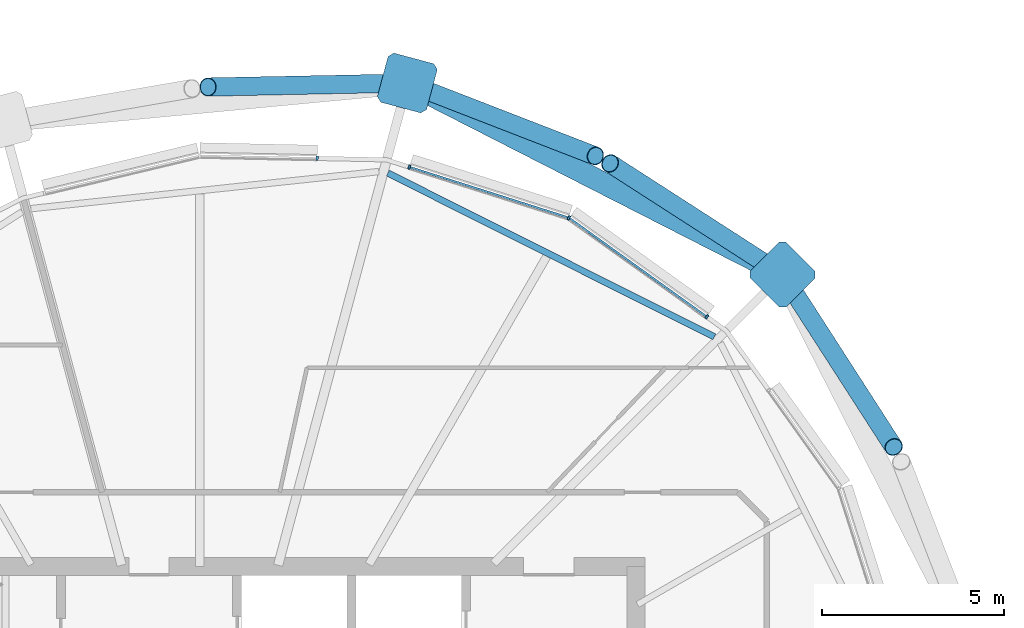
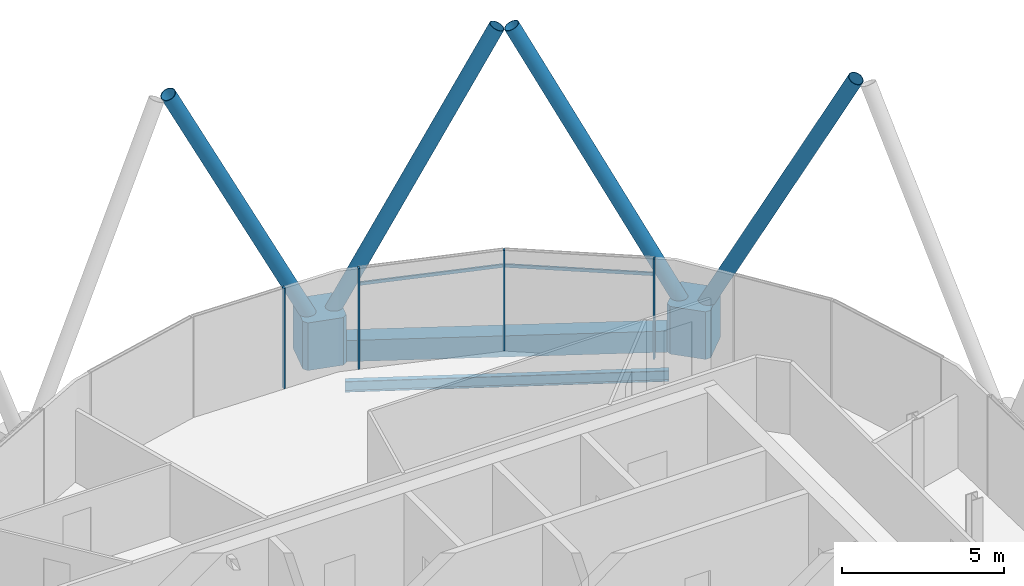
# One storey, part 17 of 32: 12 members, 2 beams, 1 element without a shape of its own.
"""IFC4 building model written with IfcOpenShell, lengths in metres."""

from ifc_helpers import new_model, si_unit, direction, frame, origin, origin_2d, place, context, subcontext, project, spatial, polyline, rectangle, hollow_rectangle, hollow_circle, i_section, outline, extrude, material, material_profile, profile_set, type_object, element, aggregate, save


model = new_model("IFC4")

# Units and contexts
model_context = context("Model", 3, precision=1e-05, world=origin(), true_north=direction((0.0, 1.0)))
body_context = subcontext(model_context, "Body", "Model", "MODEL_VIEW")
ifc_project = project(units=[si_unit("LENGTHUNIT", "METRE"), si_unit("AREAUNIT", "SQUARE_METRE"), si_unit("VOLUMEUNIT", "CUBIC_METRE"), si_unit("PLANEANGLEUNIT", "RADIAN"), si_unit("MASSUNIT", "GRAM", prefix="KILO")], contexts=[model_context])

# Site, building, storey
site_placement = place(None, origin())
site = spatial("IfcSite", under=ifc_project, at=site_placement, CompositionType="ELEMENT")
building_placement = place(site_placement, origin())
building = spatial("IfcBuilding", under=site, at=building_placement, Name="Rimbun Link Towers", CompositionType="ELEMENT")
storey_placement = place(building_placement, frame((0.0, 0.0, 233.300048828125)))
storey = spatial("IfcBuildingStorey", under=building, at=storey_placement, Name="L57", CompositionType="ELEMENT", Elevation=233.300048828125)

# Curtain wall, members
ifc_material_1 = material(Name="Aluminium 6063-T6 and low-iron glass", Category="aluminium")
curtain_wall_type = type_object("IfcCurtainWallType", Name="CW1-Z4 unitised vision wall (zone 4)", PredefinedType="NOTDEFINED", material=ifc_material_1)
curtain_wall_placement = place(storey_placement, origin())
curtain_wall = element("IfcCurtainWall", 1, at=curtain_wall_placement, inside=storey, type_object=curtain_wall_type, Name="CW1 L57 T2", PredefinedType="NOTDEFINED")
ifc_material_2 = material(Name="Aluminium 6063-T6", Category="aluminium")
ifc_material_profile_1 = material_profile(ifc_material_2, rectangle(XDim=0.1201171875, YDim=0.06005859375, at=origin_2d()), Name="MULLION 60X120")
ifc_profile_set_1 = profile_set([ifc_material_profile_1], Name="Aluminium 6063-T6")
member_type_1 = type_object("IfcMemberType", Name="CW1 mullion 60X120", PredefinedType="MULLION", material=ifc_profile_set_1)
member_1_placement = place(storey_placement, frame((41.903564453125, 17.593505859375, 0.0), z_axis=(0.0, 0.0, 1.0), x_axis=(0.448572222848, 0.893746586505, 0.0)))
member_1 = element("IfcMember", 2, at=member_1_placement, type_object=member_type_1, Name="CW1 mullion", PredefinedType="MULLION", context=body_context, shape_type="SweptSolid", body=[
    extrude(rectangle(XDim=0.1201171875, YDim=0.06005859375, at=origin_2d()), origin(), (0.0, 0.0, 1.0), 3.800048828125),
])
member_2_placement = place(storey_placement, frame((45.69970703125, 14.87060546875, 0.0), z_axis=(0.0, 0.0, 1.0), x_axis=(0.583003243297, 0.812469826089, 0.0)))
member_2 = element("IfcMember", 3, at=member_2_placement, type_object=member_type_1, Name="CW1 mullion", PredefinedType="MULLION", context=body_context, shape_type="SweptSolid", body=[
    extrude(rectangle(XDim=0.1201171875, YDim=0.06005859375, at=origin_2d()), origin(), (0.0, 0.0, 1.0), 3.800048828125),
])
member_3_placement = place(storey_placement, frame((37.513427734375, 18.990478515625, 0.0), z_axis=(0.0, 0.0, 1.0), x_axis=(0.303071511559, 0.952967816288, 0.0)))
member_3 = element("IfcMember", 4, at=member_3_placement, type_object=member_type_1, Name="CW1 mullion", PredefinedType="MULLION", context=body_context, shape_type="SweptSolid", body=[
    extrude(rectangle(XDim=0.1201171875, YDim=0.06005859375, at=origin_2d()), origin(), (0.0, 0.0, 1.0), 3.800048828125),
])
member_4_placement = place(storey_placement, frame((34.9775390625, 19.230224609375, 0.0), z_axis=(0.0, 0.0, 1.0), x_axis=(0.021064795684, 0.999778112574, 0.0)))
member_4 = element("IfcMember", 5, at=member_4_placement, type_object=member_type_1, Name="CW1 mullion", PredefinedType="MULLION", context=body_context, shape_type="SweptSolid", body=[
    extrude(rectangle(XDim=0.1201171875, YDim=0.06005859375, at=origin_2d()), origin(), (0.0, 0.0, 1.0), 3.800048828125),
])
ifc_material_3 = material(Name="Aluminium 6063-T6", Category="aluminium")
ifc_material_profile_2 = material_profile(ifc_material_3, rectangle(XDim=0.06005859375, YDim=0.1201171875, at=origin_2d()), Name="TRANSOM 60X120")
ifc_profile_set_2 = profile_set([ifc_material_profile_2], Name="Aluminium 6063-T6")
member_type_2 = type_object("IfcMemberType", Name="CW1 transom 60X120", PredefinedType="USERDEFINED", material=ifc_profile_set_2)
member_5_placement = place(storey_placement, frame((41.934814453125, 17.569580078125, 3.199951171875), z_axis=(0.81247707176, -0.582993145641, 0.0), x_axis=(0.582993145641, 0.81247707176, 0.0)))
member_5 = element("IfcMember", 6, at=member_5_placement, type_object=member_type_2, Name="CW1 transom", ObjectType="TRANSOM", PredefinedType="USERDEFINED", context=body_context, shape_type="SweptSolid", body=[
    extrude(rectangle(XDim=0.06005859375, YDim=0.1201171875, at=origin_2d()), origin(), (0.0, 0.0, 1.0), 4.602294921875),
])
member_6_placement = place(storey_placement, frame((37.54150390625, 18.9794921875, 3.199951171875), z_axis=(0.952966754801, -0.303074849243, 0.0), x_axis=(0.303074849243, 0.952966754801, 0.0)))
member_6 = element("IfcMember", 7, at=member_6_placement, type_object=member_type_2, Name="CW1 transom", ObjectType="TRANSOM", PredefinedType="USERDEFINED", context=body_context, shape_type="SweptSolid", body=[
    extrude(rectangle(XDim=0.06005859375, YDim=0.1201171875, at=origin_2d()), origin(), (0.0, 0.0, 1.0), 4.53759765625),
])
aggregate(curtain_wall, [member_1, member_2, member_3, member_4, member_5, member_6])

# Members
ifc_material_4 = material(Name="Steel S355J2H", Category="steel")
ifc_material_profile_3 = material_profile(ifc_material_4, hollow_circle(Radius=0.25390625, WallThickness=0.02001953125, at=origin_2d()), Name="Diagrid diagonal CHS 508x20")
ifc_profile_set_3 = profile_set([ifc_material_profile_3], Name="Steel S355J2H")
member_type_3 = type_object("IfcMemberType", Name="Diagrid diagonal CHS 508x20", PredefinedType="BRACE", material=ifc_profile_set_3)
for number, where, z_axis, x_axis, name in (
    (8, (47.907958984375, 15.84130859375, 0.4443359375), (0.248099627487, -0.385145922507, 0.888880865593), (0.840675897, 0.541538582377, 0.0), "Diagrid diagonal T2 L57-L60 00a"),
    (9, (47.59130859375, 16.157958984375, 0.4443359375), (-0.385145922507, 0.248099627487, 0.888880865593), (-0.541538582377, -0.840675897, 0.0), "Diagrid diagonal T2 L57-L60 00b"),
):
    element("IfcMember", number, at=place(storey_placement, frame(where, z_axis=z_axis, x_axis=x_axis)), inside=storey, type_object=member_type_3, Name=name, PredefinedType="BRACE", context=body_context, shape_type="SweptSolid", body=[
        extrude(hollow_circle(Radius=0.25390625, WallThickness=0.02001953125, at=origin_2d()), origin(), (0.0, 0.0, 1.0), 11.8251953125),
    ])
member_7_placement = place(storey_placement, frame((37.6689453125, 21.221923828125, 0.446044921875), z_axis=(0.421449215912, -0.163356907785, 0.892017420842), x_axis=(0.361408273486, 0.932407668274, 0.0)))
element("IfcMember", 10, at=member_7_placement, inside=storey, type_object=member_type_3, Name="Diagrid diagonal T2 L57-L60 02a", PredefinedType="BRACE", context=body_context, shape_type="SweptSolid", body=[
    extrude(hollow_circle(Radius=0.25390625, WallThickness=0.02001953125, at=origin_2d()), origin(), (0.0, 0.0, 1.0), 11.77978515625),
])
member_8_placement = place(storey_placement, frame((37.234375, 21.299072265625, 0.447021484375), z_axis=(-0.447710806999, -0.008976241176, 0.894133357162), x_axis=(0.020045166408, -0.999799075466, 0.0)))
element("IfcMember", 11, at=member_8_placement, inside=storey, type_object=member_type_3, Name="Diagrid diagonal T2 L57-L60 02b", PredefinedType="BRACE", context=body_context, shape_type="SweptSolid", body=[
    extrude(hollow_circle(Radius=0.25390625, WallThickness=0.02001953125, at=origin_2d()), origin(), (0.0, 0.0, 1.0), 11.749755859375),
])
ifc_material_5 = material(Name="Cast steel G20Mn5+QT, Rp0.2 300 MPa", Category="steel")
ifc_material_profile_4 = material_profile(ifc_material_5, outline(polyline([(0.699951171875, -0.570068359375), (0.699951171875, 0.570068359375), (0.570068359375, 0.699951171875), (-0.570068359375, 0.699951171875), (-0.699951171875, 0.570068359375), (-0.699951171875, -0.570068359375), (-0.570068359375, -0.699951171875), (0.570068359375, -0.699951171875), (0.699951171875, -0.570068359375)])), Name="NODE 1400x1400")
ifc_profile_set_4 = profile_set([ifc_material_profile_4], Name="Cast steel G20Mn5+QT, Rp0.2 300 MPa")
member_type_4 = type_object("IfcMemberType", Name="Diagrid node cast 1400", PredefinedType="USERDEFINED", material=ifc_profile_set_4)
for number, where, z_axis, x_axis, name in (
    (12, (47.78369140625, 16.03369140625, -0.900146484375), (0.0, 0.0, 1.0), (0.707106781187, 0.707106781187, 0.0), "Diagrid node L57 00"),
    (13, (37.458251953125, 21.3037109375, -0.900146484375), (0.0, 0.0, 1.0), (0.258819045103, 0.965925826289, 0.0), "Diagrid node L57 02"),
):
    element("IfcMember", number, at=place(storey_placement, frame(where, z_axis=z_axis, x_axis=x_axis)), inside=storey, type_object=member_type_4, Name=name, ObjectType="Diagrid node", PredefinedType="USERDEFINED", context=body_context, shape_type="SweptSolid", body=[
        extrude(outline(polyline([(0.699951171875, -0.570068359375), (0.699951171875, 0.570068359375), (0.570068359375, 0.699951171875), (-0.570068359375, 0.699951171875), (-0.699951171875, 0.570068359375), (-0.699951171875, -0.570068359375), (-0.570068359375, -0.699951171875), (0.570068359375, -0.699951171875), (0.699951171875, -0.570068359375)])), origin(), (0.0, 0.0, 1.0), 1.800048828125),
    ])

# Beams
ifc_material_6 = material(Name="Steel S355J2", Category="steel")
ifc_material_profile_5 = material_profile(ifc_material_6, hollow_rectangle(XDim=0.60009765625, YDim=0.800048828125, WallThickness=0.0400390625, at=origin_2d()), Name="Exoskeleton ring girder BOX 600x800x40")
ifc_profile_set_5 = profile_set([ifc_material_profile_5], Name="Steel S355J2")
beam_type_1 = type_object("IfcBeamType", Name="Exoskeleton ring girder BOX 600x800x40", PredefinedType="BEAM", material=ifc_profile_set_5)
beam_1_placement = place(storey_placement, frame((47.160400390625, 16.35205078125, -0.56005859375), z_axis=(-0.890708036991, 0.454575838381, 0.0), x_axis=(-0.454575838381, -0.890708036991, 0.0)))
element("IfcBeam", 14, at=beam_1_placement, inside=storey, type_object=beam_type_1, Name="Exoskeleton ring girder L57 00", PredefinedType="BEAM", context=body_context, shape_type="SweptSolid", body=[
    extrude(hollow_rectangle(XDim=0.60009765625, YDim=0.800048828125, WallThickness=0.0400390625, at=origin_2d()), origin(), (0.0, 0.0, 1.0), 10.192626953125),
])
ifc_material_7 = material(Name="Steel S355J2", Category="steel")
ifc_material_profile_6 = material_profile(ifc_material_7, i_section(OverallWidth=0.177978515625, OverallDepth=0.406494140625, WebThickness=0.0078125, FlangeThickness=0.0126953125, at=origin_2d()), Name="UB 406x178x60")
ifc_profile_set_6 = profile_set([ifc_material_profile_6], Name="Steel S355J2")
beam_type_2 = type_object("IfcBeamType", Name="UB 406x178x60", PredefinedType="BEAM", material=ifc_profile_set_6)
beam_2_placement = place(storey_placement, frame((45.905517578125, 14.31787109375, -0.34326171875), z_axis=(-0.89381395132, 0.44843797835, 0.0), x_axis=(-0.44843797835, -0.89381395132, 0.0)))
element("IfcBeam", 15, at=beam_2_placement, inside=storey, type_object=beam_type_2, Name="Edge beam T2 L57 00-02", PredefinedType="BEAM", context=body_context, shape_type="SweptSolid", body=[
    extrude(i_section(OverallWidth=0.177978515625, OverallDepth=0.406494140625, WebThickness=0.0078125, FlangeThickness=0.0126953125, at=origin_2d()), origin(), (0.0, 0.0, 1.0), 10.04638671875),
])

save(model, "model.ifc")
